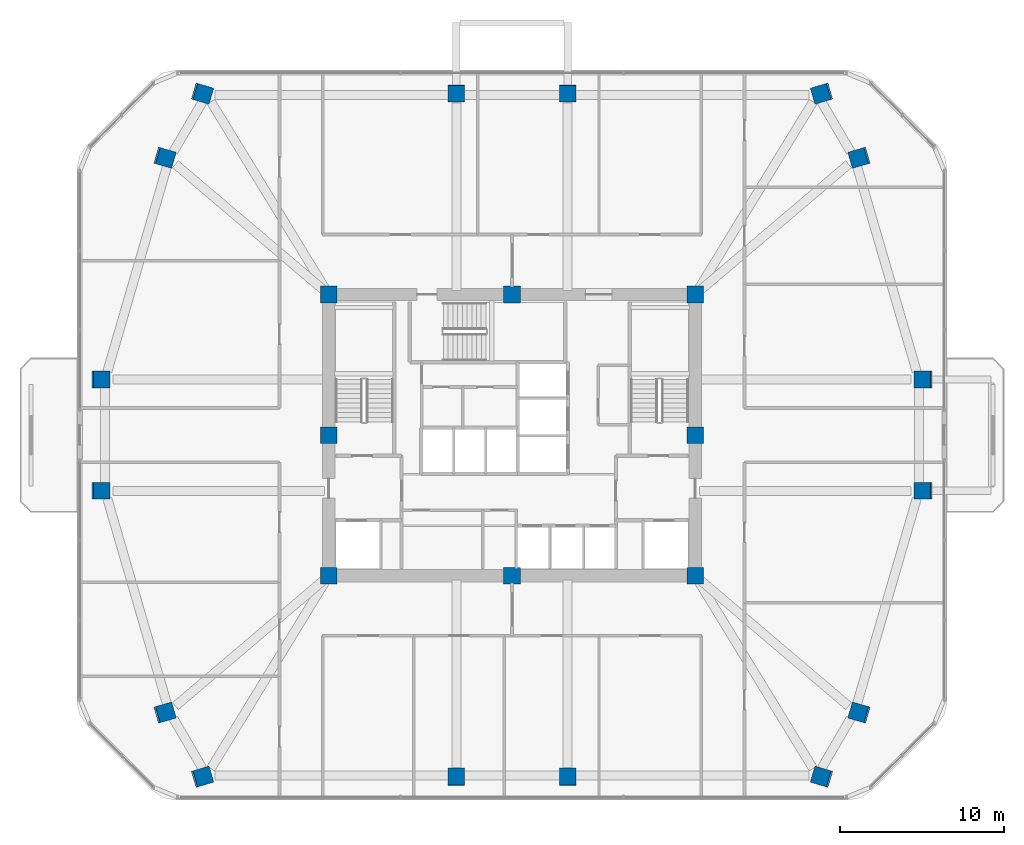
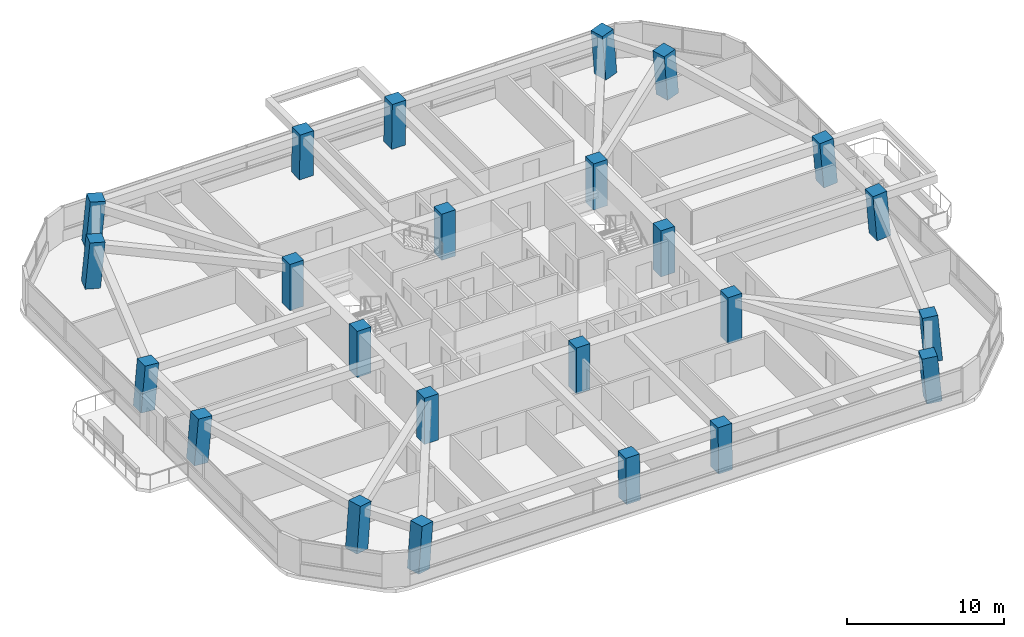
# One storey, part 1 of 15: 24 columns.
"""IFC4 building model written with IfcOpenShell, lengths in metres."""

from ifc_helpers import new_model, si_unit, derived_unit, direction, frame, origin, origin_2d, place, context, subcontext, project, spatial, rectangle, extrude, material, material_profile, profile_set, type_object, element, save


model = new_model("IFC4")

# Units and contexts
model_context = context("Model", 3, precision=1e-05, world=origin(), true_north=direction((0.0, 1.0)))
body_context = subcontext(model_context, "Body", "Model", "MODEL_VIEW")
ifc_project = project(units=[si_unit("LENGTHUNIT", "METRE"), si_unit("AREAUNIT", "SQUARE_METRE"), si_unit("VOLUMEUNIT", "CUBIC_METRE"), si_unit("PLANEANGLEUNIT", "RADIAN"), si_unit("MASSUNIT", "GRAM", prefix="KILO"), derived_unit("THERMALTRANSMITTANCEUNIT", [(si_unit("POWERUNIT", "WATT"), 1), (si_unit("LENGTHUNIT", "METRE"), -2), (si_unit("THERMODYNAMICTEMPERATUREUNIT", "KELVIN"), -1)])], contexts=[model_context])

# Site, building, storey
site_placement = place(None, origin())
site = spatial("IfcSite", under=ifc_project, at=site_placement, CompositionType="ELEMENT")
building_placement = place(site_placement, origin())
building = spatial("IfcBuilding", under=site, at=building_placement, Name="Koralith Skygarden Medical Center", CompositionType="ELEMENT")
storey_placement = place(building_placement, frame((0.0, 0.0, 91.97998046875)))
storey = spatial("IfcBuildingStorey", under=building, at=storey_placement, Name="L23", CompositionType="ELEMENT", Elevation=91.97998046875)

# Columns
ifc_material = material(Name="Concrete C70/85", Category="concrete")
ifc_material_profile_1 = material_profile(ifc_material, rectangle(XDim=1.02001953125, YDim=1.02001953125, at=origin_2d()), Name="RC1020X1020")
ifc_profile_set_1 = profile_set([ifc_material_profile_1], Name="Concrete C70/85")
column_type_1 = type_object("IfcColumnType", Name="Core Mega-Column C70 RC1020", PredefinedType="COLUMN", material=ifc_profile_set_1)
for number, where, z_axis, x_axis, name in (
    (1, (25.800048828125, 17.300048828125, 0.0), (0.0, 0.0, 1.0), (1.0, 0.0, 0.0), "L23 Core Column CC-01"),
    (2, (37.0, 17.300048828125, 0.0), (0.0, 0.0, 1.0), (1.0, 0.0, 0.0), "L23 Core Column CC-02"),
    (3, (48.199951171875, 17.300048828125, 0.0), (0.0, 0.0, 1.0), (1.0, 0.0, 0.0), "L23 Core Column CC-03"),
    (4, (48.199951171875, 25.89990234375, 0.0), (0.0, 0.0, 1.0), (1.0, 0.0, 0.0), "L23 Core Column CC-04"),
    (5, (48.199951171875, 34.5, 0.0), (0.0, 0.0, 1.0), (1.0, 0.0, 0.0), "L23 Core Column CC-05"),
    (6, (37.0, 34.5, 0.0), (0.0, 0.0, 1.0), (1.0, 0.0, 0.0), "L23 Core Column CC-06"),
    (7, (25.800048828125, 34.5, 0.0), (0.0, 0.0, 1.0), (1.0, 0.0, 0.0), "L23 Core Column CC-07"),
    (8, (25.800048828125, 25.89990234375, 0.0), (0.0, 0.0, 1.0), (1.0, 0.0, 0.0), "L23 Core Column CC-08"),
):
    element("IfcColumn", number, at=place(storey_placement, frame(where, z_axis=z_axis, x_axis=x_axis)), inside=storey, type_object=column_type_1, Name=name, PredefinedType="COLUMN", context=body_context, shape_type="SweptSolid", body=[
        extrude(rectangle(XDim=1.02001953125, YDim=1.02001953125, at=origin_2d()), origin(), (0.0, 0.0, 1.0), 3.60009765625),
    ])
ifc_material_profile_2 = material_profile(ifc_material, rectangle(XDim=1.02001953125, YDim=1.02001953125, at=origin_2d()), Name="RC1020X1020")
ifc_profile_set_2 = profile_set([ifc_material_profile_2], Name="Concrete C70/85")
column_type_2 = type_object("IfcColumnType", Name="Zone 2 Waist-In Mega-Column C70 RC1020", PredefinedType="COLUMN", material=ifc_profile_set_2)
column_1_placement = place(storey_placement, frame((11.822021484375, 22.5, 0.02099609375), z_axis=(0.084573087246, 0.0, 0.99641727851), x_axis=(0.0, 1.0, 0.0)))
element("IfcColumn", 9, at=column_1_placement, inside=storey, type_object=column_type_2, Name="L23 Perimeter Mega-Column MC-01", PredefinedType="COLUMN", context=body_context, shape_type="SweptSolid", body=[
    extrude(rectangle(XDim=1.02001953125, YDim=1.02001953125, at=origin_2d()), origin(), (0.0, 0.0, 1.0), 3.57080078125),
])
for number, where, z_axis, x_axis, name in (
    (10, (15.742919921875, 8.928955078125, 0.02099609375), (0.084547339264, 0.024673879931, 0.996113922738), (-0.280148995539, 0.959956530421, 0.0), "L23 Perimeter Mega-Column MC-02"),
    (11, (18.033935546875, 5.008056640625, 0.02099609375), (0.084546909741, 0.024878799633, 0.996108862214), (-0.282292283154, 0.959328445774, 0.0), "L23 Perimeter Mega-Column MC-03"),
):
    element("IfcColumn", number, at=place(storey_placement, frame(where, z_axis=z_axis, x_axis=x_axis)), inside=storey, type_object=column_type_2, Name=name, PredefinedType="COLUMN", context=body_context, shape_type="SweptSolid", body=[
        extrude(rectangle(XDim=1.02001953125, YDim=1.02001953125, at=origin_2d()), origin(), (0.0, 0.0, 1.0), 3.572021484375),
    ])
for number, where, z_axis, x_axis, name in (
    (12, (33.60009765625, 5.008056640625, 0.02099609375), (0.0, 0.024968198266, 0.999688245942), (-1.0, 0.0, 0.0), "L23 Perimeter Mega-Column MC-04"),
    (13, (40.39990234375, 5.008056640625, 0.02099609375), (0.0, 0.024968198266, 0.999688245942), (-1.0, 0.0, 0.0), "L23 Perimeter Mega-Column MC-05"),
):
    element("IfcColumn", number, at=place(storey_placement, frame(where, z_axis=z_axis, x_axis=x_axis)), inside=storey, type_object=column_type_2, Name=name, PredefinedType="COLUMN", context=body_context, shape_type="SweptSolid", body=[
        extrude(rectangle(XDim=1.02001953125, YDim=1.02001953125, at=origin_2d()), origin(), (0.0, 0.0, 1.0), 3.559326171875),
    ])
for number, where, z_axis, x_axis, name in (
    (14, (55.966064453125, 5.008056640625, 0.02099609375), (-0.084546909741, 0.024878799633, 0.996108862214), (-0.282292283154, -0.959328445774, 0.0), "L23 Perimeter Mega-Column MC-06"),
    (15, (58.257080078125, 8.928955078125, 0.02099609375), (-0.084547339264, 0.024673879931, 0.996113922738), (-0.280148995539, -0.959956530421, 0.0), "L23 Perimeter Mega-Column MC-07"),
):
    element("IfcColumn", number, at=place(storey_placement, frame(where, z_axis=z_axis, x_axis=x_axis)), inside=storey, type_object=column_type_2, Name=name, PredefinedType="COLUMN", context=body_context, shape_type="SweptSolid", body=[
        extrude(rectangle(XDim=1.02001953125, YDim=1.02001953125, at=origin_2d()), origin(), (0.0, 0.0, 1.0), 3.572021484375),
    ])
for number, where, z_axis, x_axis, name in (
    (16, (62.177978515625, 22.5, 0.02099609375), (-0.084573087246, 0.0, 0.99641727851), (0.0, -1.0, 0.0), "L23 Perimeter Mega-Column MC-08"),
    (17, (62.177978515625, 29.300048828125, 0.02099609375), (-0.084573087246, 0.0, 0.99641727851), (0.0, -1.0, 0.0), "L23 Perimeter Mega-Column MC-09"),
):
    element("IfcColumn", number, at=place(storey_placement, frame(where, z_axis=z_axis, x_axis=x_axis)), inside=storey, type_object=column_type_2, Name=name, PredefinedType="COLUMN", context=body_context, shape_type="SweptSolid", body=[
        extrude(rectangle(XDim=1.02001953125, YDim=1.02001953125, at=origin_2d()), origin(), (0.0, 0.0, 1.0), 3.57080078125),
    ])
for number, where, z_axis, x_axis, name in (
    (18, (58.257080078125, 42.87109375, 0.02099609375), (-0.084547339264, -0.024673879931, 0.996113922738), (0.280148995539, -0.959956530421, 0.0), "L23 Perimeter Mega-Column MC-10"),
    (19, (55.966064453125, 46.791015625, 0.02099609375), (-0.084547339264, -0.024673879931, 0.996113922738), (0.280148995539, -0.959956530421, 0.0), "L23 Perimeter Mega-Column MC-11"),
):
    element("IfcColumn", number, at=place(storey_placement, frame(where, z_axis=z_axis, x_axis=x_axis)), inside=storey, type_object=column_type_2, Name=name, PredefinedType="COLUMN", context=body_context, shape_type="SweptSolid", body=[
        extrude(rectangle(XDim=1.02001953125, YDim=1.02001953125, at=origin_2d()), origin(), (0.0, 0.0, 1.0), 3.572021484375),
    ])
for number, where, z_axis, x_axis, name in (
    (20, (40.39990234375, 46.791015625, 0.02099609375), (0.0, -0.024762543118, 0.999693361215), (1.0, 0.0, 0.0), "L23 Perimeter Mega-Column MC-12"),
    (21, (33.60009765625, 46.791015625, 0.02099609375), (0.0, -0.024762543118, 0.999693361215), (1.0, 0.0, 0.0), "L23 Perimeter Mega-Column MC-13"),
):
    element("IfcColumn", number, at=place(storey_placement, frame(where, z_axis=z_axis, x_axis=x_axis)), inside=storey, type_object=column_type_2, Name=name, PredefinedType="COLUMN", context=body_context, shape_type="SweptSolid", body=[
        extrude(rectangle(XDim=1.02001953125, YDim=1.02001953125, at=origin_2d()), origin(), (0.0, 0.0, 1.0), 3.55908203125),
    ])
for number, where, z_axis, x_axis, name in (
    (22, (18.033935546875, 46.791015625, 0.02099609375), (0.084547339264, -0.024673879931, 0.996113922738), (0.280148995539, 0.959956530421, 0.0), "L23 Perimeter Mega-Column MC-14"),
    (23, (15.742919921875, 42.87109375, 0.02099609375), (0.084547339264, -0.024673879931, 0.996113922738), (0.280148995539, 0.959956530421, 0.0), "L23 Perimeter Mega-Column MC-15"),
):
    element("IfcColumn", number, at=place(storey_placement, frame(where, z_axis=z_axis, x_axis=x_axis)), inside=storey, type_object=column_type_2, Name=name, PredefinedType="COLUMN", context=body_context, shape_type="SweptSolid", body=[
        extrude(rectangle(XDim=1.02001953125, YDim=1.02001953125, at=origin_2d()), origin(), (0.0, 0.0, 1.0), 3.572021484375),
    ])
column_2_placement = place(storey_placement, frame((11.822021484375, 29.300048828125, 0.02099609375), z_axis=(0.084573087246, 0.0, 0.99641727851), x_axis=(0.0, 1.0, 0.0)))
element("IfcColumn", 24, at=column_2_placement, inside=storey, type_object=column_type_2, Name="L23 Perimeter Mega-Column MC-16", PredefinedType="COLUMN", context=body_context, shape_type="SweptSolid", body=[
    extrude(rectangle(XDim=1.02001953125, YDim=1.02001953125, at=origin_2d()), origin(), (0.0, 0.0, 1.0), 3.57080078125),
])

save(model, "model.ifc")
